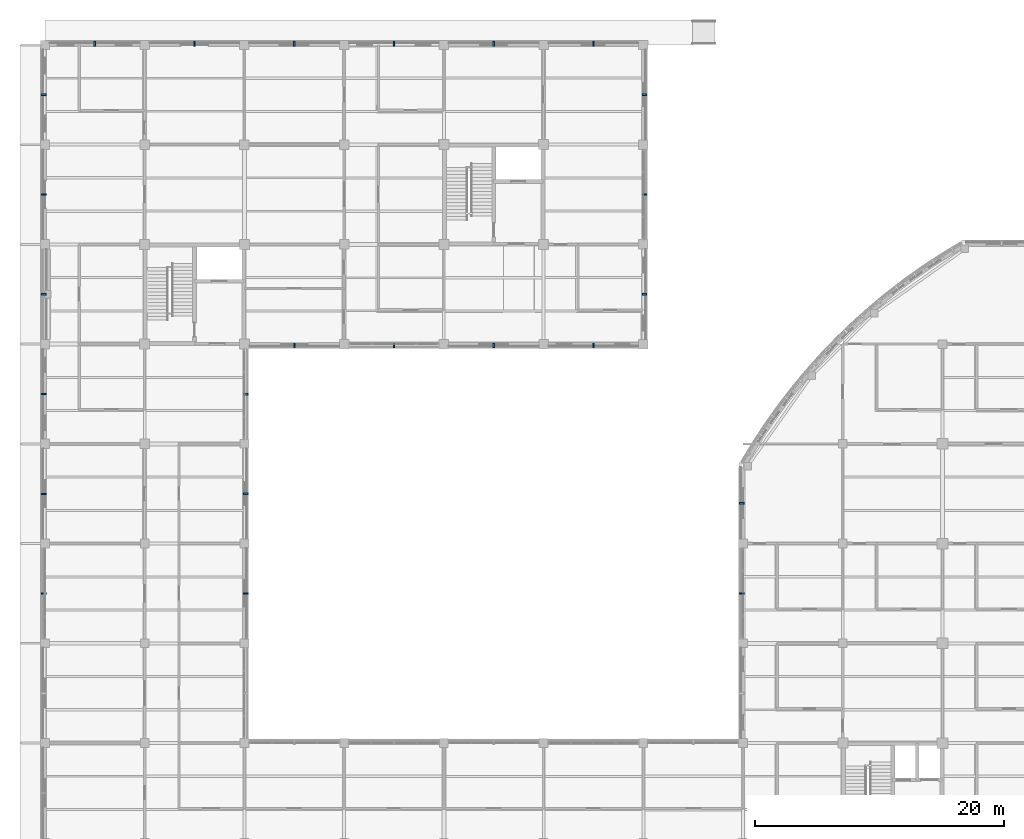
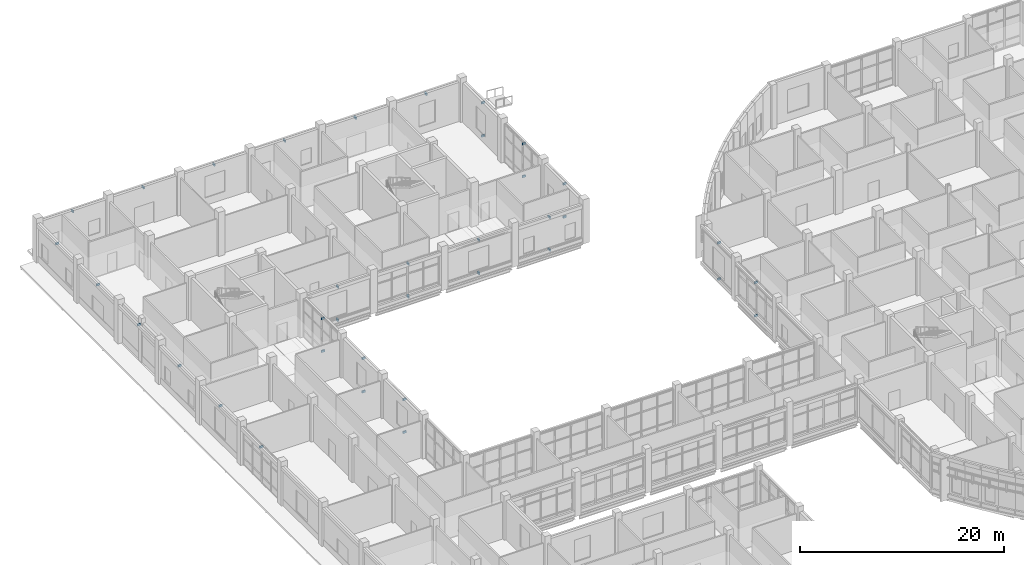
# One storey, part 88 of 105: 36 discrete accessories.
"""IFC4 building model written with IfcOpenShell, lengths in metres."""

from ifc_helpers import new_model, si_unit, derived_unit, direction, frame, origin, origin_2d, place, context, subcontext, project, spatial, rectangle, extrude, material, type_object, element, save


model = new_model("IFC4")

# Units and contexts
model_context = context("Model", 3, precision=1e-05, world=origin(), true_north=direction((0.0, 1.0)))
body_context = subcontext(model_context, "Body", "Model", "MODEL_VIEW")
ifc_project = project(units=[si_unit("LENGTHUNIT", "METRE"), si_unit("AREAUNIT", "SQUARE_METRE"), si_unit("VOLUMEUNIT", "CUBIC_METRE"), si_unit("PLANEANGLEUNIT", "RADIAN"), si_unit("MASSUNIT", "GRAM", prefix="KILO"), derived_unit("THERMALTRANSMITTANCEUNIT", [(si_unit("MASSUNIT", "GRAM", prefix="KILO"), 1), (si_unit("TIMEUNIT", "SECOND"), -3), (si_unit("THERMODYNAMICTEMPERATUREUNIT", "KELVIN"), -1)])], contexts=[model_context])

# Site, building, storey
site_placement = place(None, origin())
site = spatial("IfcSite", under=ifc_project, at=site_placement, CompositionType="ELEMENT")
building_placement = place(site_placement, origin())
building = spatial("IfcBuilding", under=site, at=building_placement, Name="Veyamyaing Civic Hall", CompositionType="ELEMENT")
storey_placement = place(building_placement, origin())
storey = spatial("IfcBuildingStorey", under=building, at=storey_placement, Name="L00", CompositionType="ELEMENT", Elevation=0.0)

# Discrete accessories
ifc_material = material(Name="Steel S355J2", Category="steel")
discrete_accessory_type = type_object("IfcDiscreteAccessoryType", Name="BK-01", PredefinedType="BRACKET", material=ifc_material)
for number, where, z_axis, x_axis, name in (
    (1, (-0.10009765625, 68.0, 4.27001953125), (0.0, 0.0, 1.0), (-1.0, 0.0, 0.0), "Sunshade anchor bracket BK-01 L00 W 1.9"),
    (2, (-0.10009765625, 75.987548828125, 4.333984375), (0.0, 0.0, 1.0), (-1.0, 0.0, 0.0), "Sunshade anchor bracket BK-01 L00 W 1.10"),
    (3, (-0.10009765625, 84.0, 4.27392578125), (0.0, 0.0, 1.0), (-1.0, 0.0, 0.0), "Sunshade anchor bracket BK-01 L00 W 1.11"),
    (4, (-0.10009765625, 92.0, 4.3369140625), (0.0, 0.0, 1.0), (-1.0, 0.0, 0.0), "Sunshade anchor bracket BK-01 L00 W 1.12"),
    (5, (-0.10009765625, 100.0, 4.27001953125), (0.0, 0.0, 1.0), (-1.0, 0.0, 0.0), "Sunshade anchor bracket BK-01 L00 W 1.13"),
    (6, (4.0, 112.10009765625, 4.27392578125), (0.0, 0.0, 1.0), (0.0, 1.0, 0.0), "Sunshade anchor bracket BK-01 L00 N 1.14"),
    (7, (-0.10009765625, 108.0, 4.333984375), (0.0, 0.0, 1.0), (-1.0, 0.0, 0.0), "Sunshade anchor bracket BK-01 L00 W 1.14"),
    (8, (16.10009765625, 68.0, 4.27880859375), (0.0, 0.0, 1.0), (1.0, 0.0, 0.0), "Sunshade anchor bracket BK-01 L00 E 2.9"),
    (9, (16.10009765625, 68.0, 0.35986328125), (0.0, 0.0, 1.0), (1.0, 0.0, 0.0), "Lower ribbon anchor bracket BK-01 L00 E 2.9"),
    (10, (16.10009765625, 76.0, 4.341796875), (0.0, 0.0, 1.0), (1.0, 0.0, 0.0), "Sunshade anchor bracket BK-01 L00 E 2.10"),
    (11, (16.10009765625, 76.0, 0.35986328125), (0.0, 0.0, 1.0), (1.0, 0.0, 0.0), "Lower ribbon anchor bracket BK-01 L00 E 2.10"),
    (12, (16.10009765625, 83.97509765625, 4.27490234375), (0.0, 0.0, 1.0), (1.0, 0.0, 0.0), "Sunshade anchor bracket BK-01 L00 E 2.11"),
    (13, (16.10009765625, 83.97509765625, 0.35986328125), (0.0, 0.0, 1.0), (1.0, 0.0, 0.0), "Lower ribbon anchor bracket BK-01 L00 E 2.11"),
    (14, (12.0, 112.10009765625, 4.3369140625), (0.0, 0.0, 1.0), (0.0, 1.0, 0.0), "Sunshade anchor bracket BK-01 L00 N 2.14"),
    (15, (20.012451171875, 87.89990234375, 4.333984375), (0.0, 0.0, 1.0), (0.0, -1.0, 0.0), "Sunshade anchor bracket BK-01 L00 S 3.12"),
    (16, (20.012451171875, 87.89990234375, 0.35986328125), (0.0, 0.0, 1.0), (0.0, -1.0, 0.0), "Lower ribbon anchor bracket BK-01 L00 S 3.12"),
    (17, (20.0, 112.10009765625, 4.27001953125), (0.0, 0.0, 1.0), (0.0, 1.0, 0.0), "Sunshade anchor bracket BK-01 L00 N 3.14"),
    (18, (28.0, 87.89990234375, 4.27392578125), (0.0, 0.0, 1.0), (0.0, -1.0, 0.0), "Sunshade anchor bracket BK-01 L00 S 4.12"),
    (19, (28.0, 87.89990234375, 0.35986328125), (0.0, 0.0, 1.0), (0.0, -1.0, 0.0), "Lower ribbon anchor bracket BK-01 L00 S 4.12"),
    (20, (28.0, 112.10009765625, 4.333984375), (0.0, 0.0, 1.0), (0.0, 1.0, 0.0), "Sunshade anchor bracket BK-01 L00 N 4.14"),
    (21, (36.0, 87.89990234375, 4.3369140625), (0.0, 0.0, 1.0), (0.0, -1.0, 0.0), "Sunshade anchor bracket BK-01 L00 S 5.12"),
    (22, (36.0, 87.89990234375, 0.35986328125), (0.0, 0.0, 1.0), (0.0, -1.0, 0.0), "Lower ribbon anchor bracket BK-01 L00 S 5.12"),
    (23, (36.0, 112.10009765625, 4.27392578125), (0.0, 0.0, 1.0), (0.0, 1.0, 0.0), "Sunshade anchor bracket BK-01 L00 N 5.14"),
    (24, (44.0, 87.89990234375, 4.27001953125), (0.0, 0.0, 1.0), (0.0, -1.0, 0.0), "Sunshade anchor bracket BK-01 L00 S 6.12"),
    (25, (44.0, 87.89990234375, 0.35986328125), (0.0, 0.0, 1.0), (0.0, -1.0, 0.0), "Lower ribbon anchor bracket BK-01 L00 S 6.12"),
    (26, (48.10009765625, 92.0, 4.333984375), (0.0, 0.0, 1.0), (1.0, 0.0, 0.0), "Sunshade anchor bracket BK-01 L00 E 6.12"),
    (27, (48.10009765625, 92.0, 0.35986328125), (0.0, 0.0, 1.0), (1.0, 0.0, 0.0), "Lower ribbon anchor bracket BK-01 L00 E 6.12"),
    (28, (48.10009765625, 100.0, 4.27392578125), (0.0, 0.0, 1.0), (1.0, 0.0, 0.0), "Sunshade anchor bracket BK-01 L00 E 6.13"),
    (29, (48.10009765625, 100.0, 0.35986328125), (0.0, 0.0, 1.0), (1.0, 0.0, 0.0), "Lower ribbon anchor bracket BK-01 L00 E 6.13"),
    (30, (44.0, 112.10009765625, 4.3369140625), (0.0, 0.0, 1.0), (0.0, 1.0, 0.0), "Sunshade anchor bracket BK-01 L00 N 6.14"),
    (31, (48.10009765625, 108.0, 4.3369140625), (0.0, 0.0, 1.0), (1.0, 0.0, 0.0), "Sunshade anchor bracket BK-01 L00 E 6.14"),
    (32, (48.10009765625, 108.0, 0.35986328125), (0.0, 0.0, 1.0), (1.0, 0.0, 0.0), "Lower ribbon anchor bracket BK-01 L00 E 6.14"),
    (33, (55.89990234375, 68.0, 4.3369140625), (0.0, 0.0, 1.0), (-1.0, 0.0, 0.0), "Sunshade anchor bracket BK-01 L00 W 8.9"),
    (34, (55.89990234375, 68.0, 0.35986328125), (0.0, 0.0, 1.0), (-1.0, 0.0, 0.0), "Lower ribbon anchor bracket BK-01 L00 W 8.9"),
    (35, (55.89990234375, 75.240478515625, 4.69482421875), (0.0, 0.0, 1.0), (-1.0, 0.0, 0.0), "Sunshade anchor bracket BK-01 L00 W 8.10"),
    (36, (55.89990234375, 75.240478515625, 0.35986328125), (0.0, 0.0, 1.0), (-1.0, 0.0, 0.0), "Lower ribbon anchor bracket BK-01 L00 W 8.10"),
):
    element("IfcDiscreteAccessory", number, at=place(storey_placement, frame(where, z_axis=z_axis, x_axis=x_axis)), inside=storey, type_object=discrete_accessory_type, Name=name, PredefinedType="BRACKET", context=body_context, shape_type="SweptSolid", body=[
        extrude(rectangle(XDim=0.3798828125, YDim=0.139892578125, at=origin_2d()), origin(), (0.0, 0.0, 1.0), 0.239990234375),
    ])

save(model, "model.ifc")
